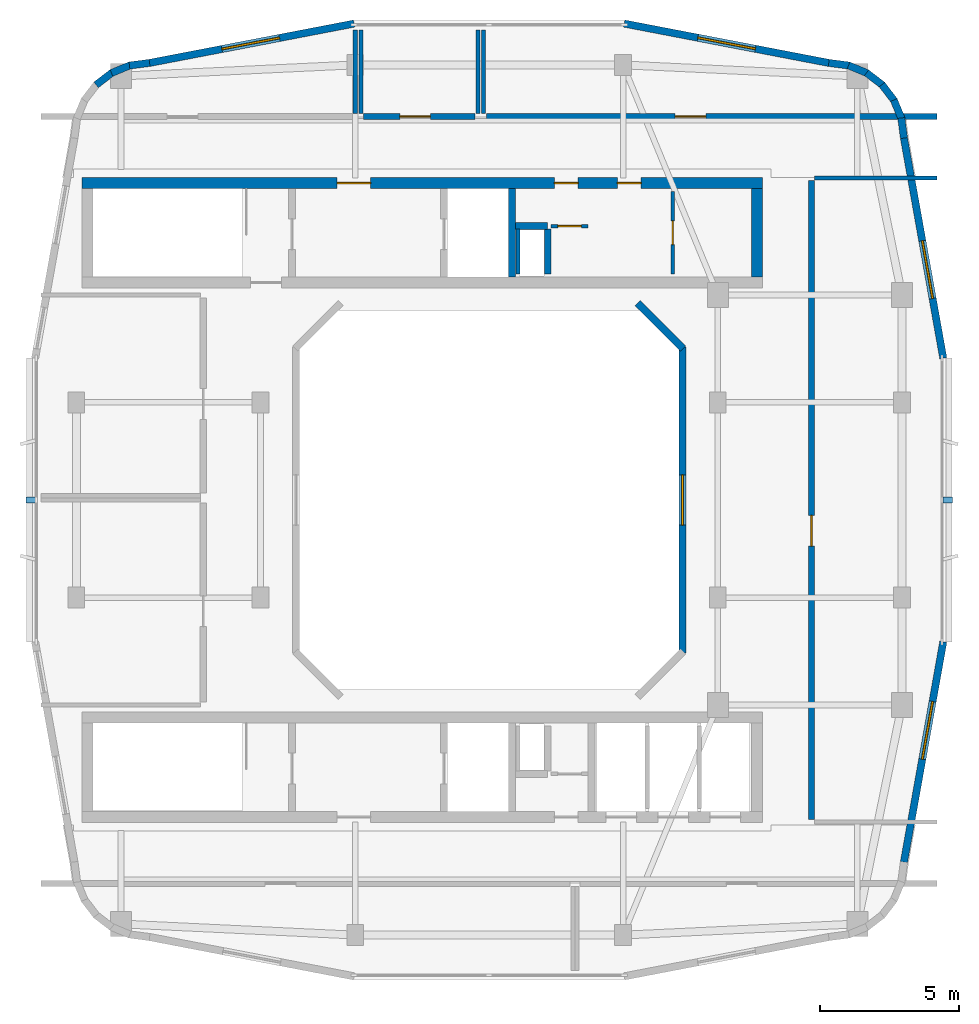
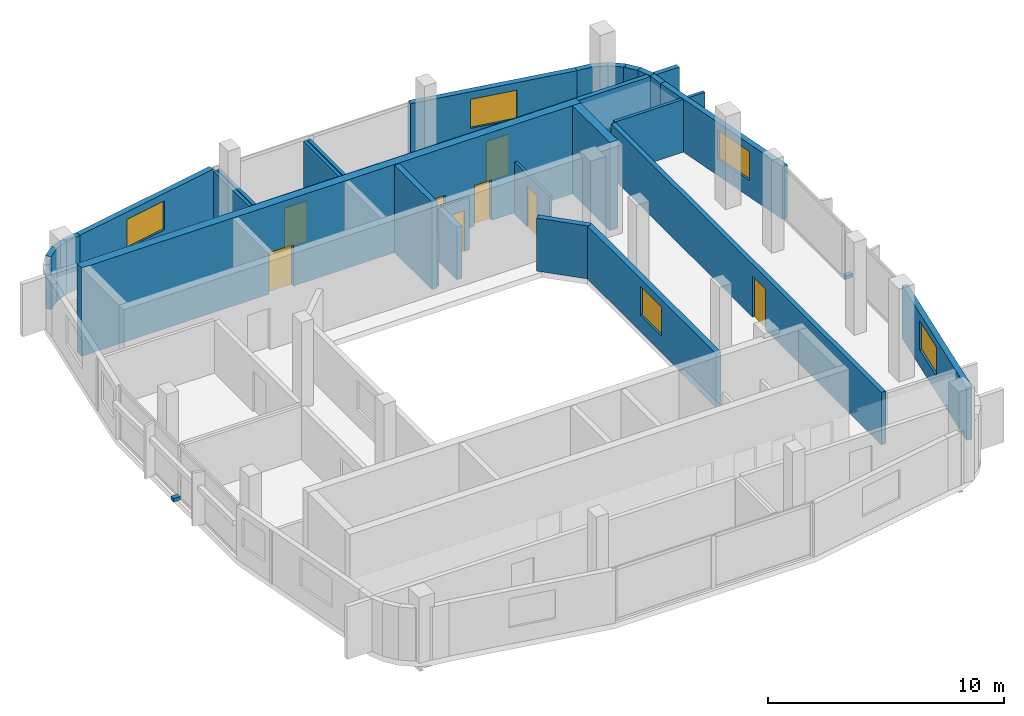
# One storey, part 5 of 6: 31 walls, 8 doors, 5 windows, 2 discrete accessories, 13 openings.
"""IFC4 building model written with IfcOpenShell, lengths in metres."""

from ifc_helpers import new_model, si_unit, derived_unit, direction, frame, frame_2d, origin, origin_2d, place, context, subcontext, project, spatial, rectangle, extrude, material, layer, layer_set, type_object, element, fill, save


model = new_model("IFC4")

# Units and contexts
model_context = context("Model", 3, precision=1e-05, world=origin(), true_north=direction((0.0, 1.0)))
body_context = subcontext(model_context, "Body", "Model", "MODEL_VIEW")
ifc_project = project(units=[si_unit("LENGTHUNIT", "METRE"), si_unit("AREAUNIT", "SQUARE_METRE"), si_unit("VOLUMEUNIT", "CUBIC_METRE"), si_unit("PLANEANGLEUNIT", "RADIAN"), si_unit("MASSUNIT", "GRAM", prefix="KILO"), derived_unit("THERMALTRANSMITTANCEUNIT", [(si_unit("POWERUNIT", "WATT"), 1), (si_unit("LENGTHUNIT", "METRE"), -2), (si_unit("THERMODYNAMICTEMPERATUREUNIT", "KELVIN"), -1)])], contexts=[model_context])

# Site, building, storey
site_placement = place(None, origin())
site = spatial("IfcSite", under=ifc_project, at=site_placement, CompositionType="ELEMENT")
building_placement = place(site_placement, origin())
building = spatial("IfcBuilding", under=site, at=building_placement, Name="Kivonza Crest Hotel", CompositionType="ELEMENT")
storey_placement = place(building_placement, frame((0.0, 0.0, 272.0)))
storey = spatial("IfcBuildingStorey", under=building, at=storey_placement, Name="L74", CompositionType="ELEMENT", Elevation=272.0)

# Wall, opening, door
ifc_material_1 = material(Name="Autoclaved aerated concrete blockwork", Category="masonry")
ifc_layer_1 = layer(ifc_material_1, 0.219970703125)
ifc_layer_set_1 = layer_set([ifc_layer_1], Name="Autoclaved aerated concrete blockwork")
wall_type_1 = type_object("IfcWallType", Name="WL-ACOU-220", PredefinedType="SOLIDWALL", material=ifc_layer_set_1)
wall_1_placement = place(storey_placement, frame((32.56005859375, 13.550048828125, 0.0), z_axis=(0.0, 0.0, 1.0), x_axis=(0.0, 1.0, 0.0)))
wall_1 = element("IfcWall", 1, at=wall_1_placement, inside=storey, type_object=wall_type_1, Name="L74 interior partition WA-L74-CRESTLNG-W", PredefinedType="SOLIDWALL", context=body_context, shape_type="SweptSolid", body=[
    extrude(rectangle(XDim=22.89990234375, YDim=0.219970703125, at=frame_2d((11.449951171875, 0.0))), origin(), (0.0, 0.0, 1.0), 2.719970703125),
])
opening_1_placement = place(wall_1_placement, frame((9.800048828125, 0.0, 0.0)))
opening_1 = element("IfcOpeningElement", 2, at=opening_1_placement, cuts=wall_1, Name="Opening DF-60M", PredefinedType="OPENING", context=body_context, shape_type="SweptSolid", body=[
    extrude(rectangle(XDim=1.10009765625, YDim=2.10009765625, at=frame_2d((0.550048828125, 1.050048828125))), frame((0.0, 0.1201171875, 0.0), z_axis=(0.0, -1.0, 0.0), x_axis=(1.0, 0.0, 0.0)), (0.0, 0.0, 1.0), 0.239990234375),
])
ifc_material_2 = material(Name="Hardwood timber oak", Category="wood")
door_type_1 = type_object("IfcDoorType", Name="DR-FD60-1100", OperationType="NOTDEFINED", PredefinedType="DOOR", material=ifc_material_2)
door_1_placement = place(opening_1_placement, frame((1.10009765625, 0.0, 0.0), z_axis=(0.0, 0.0, 1.0), x_axis=(-1.0, 0.0, 0.0)))
door_1 = element("IfcDoor", 3, at=door_1_placement, inside=storey, type_object=door_type_1, Name="L74 High-Crest Sky Lounge door", OperationType="SINGLE_SWING_LEFT", OverallHeight=2.10009765625, OverallWidth=1.10009765625, PredefinedType="DOOR", context=body_context, shape_type="SweptSolid", body=[
    extrude(rectangle(XDim=1.10009765625, YDim=2.10009765625, at=frame_2d((0.550048828125, 1.050048828125))), frame((0.0, 0.02490234375, 0.0), z_axis=(0.0, -1.0, 0.0), x_axis=(1.0, 0.0, 0.0)), (0.0, 0.0, 1.0), 0.050048828125),
])
fill(opening_1, door_1)

wall_2_placement = place(storey_placement, frame((16.5, 38.75, 0.0), z_axis=(0.0, 0.0, 1.0), x_axis=(1.0, 0.0, 0.0)))
wall_2 = element("IfcWall", 4, at=wall_2_placement, inside=storey, type_object=wall_type_1, Name="L74 interior partition WA-L74-CRAWC4-S", PredefinedType="SOLIDWALL", context=body_context, shape_type="SweptSolid", body=[
    extrude(rectangle(XDim=4.0, YDim=0.219970703125, at=frame_2d((2.0, 0.0))), origin(), (0.0, 0.0, 1.0), 2.719970703125),
])
opening_2_placement = place(wall_2_placement, frame((1.294921875, 0.0, 0.0)))
opening_2 = element("IfcOpeningElement", 5, at=opening_2_placement, cuts=wall_2, Name="Opening DF-60M", PredefinedType="OPENING", context=body_context, shape_type="SweptSolid", body=[
    extrude(rectangle(XDim=1.10009765625, YDim=2.10009765625, at=frame_2d((0.550048828125, 1.050048828125))), frame((0.0, 0.1201171875, 0.0), z_axis=(0.0, -1.0, 0.0), x_axis=(1.0, 0.0, 0.0)), (0.0, 0.0, 1.0), 0.239990234375),
])
door_2_placement = place(opening_2_placement, origin())
door_2 = element("IfcDoor", 6, at=door_2_placement, inside=storey, type_object=door_type_1, Name="L74 L74 Accessible WC door", OperationType="SINGLE_SWING_LEFT", OverallHeight=2.10009765625, OverallWidth=1.10009765625, PredefinedType="DOOR", context=body_context, shape_type="SweptSolid", body=[
    extrude(rectangle(XDim=1.10009765625, YDim=2.10009765625, at=frame_2d((0.550048828125, 1.050048828125))), frame((0.0, 0.02490234375, 0.0), z_axis=(0.0, -1.0, 0.0), x_axis=(1.0, 0.0, 0.0)), (0.0, 0.0, 1.0), 0.050048828125),
])
fill(opening_2, door_2)

wall_3_placement = place(storey_placement, frame((20.89990234375, 38.75, 0.0), z_axis=(0.0, 0.0, 1.0), x_axis=(1.0, 0.0, 0.0)))
wall_3 = element("IfcWall", 7, at=wall_3_placement, inside=storey, type_object=wall_type_1, Name="L74 interior partition WA-L74-CRNSALE-S", PredefinedType="SOLIDWALL", context=body_context, shape_type="SweptSolid", body=[
    extrude(rectangle(XDim=16.16015625, YDim=0.219970703125, at=frame_2d((8.080078125, 0.0))), origin(), (0.0, 0.0, 1.0), 2.719970703125),
])
opening_3_placement = place(wall_3_placement, frame((6.76708984375, 0.0, 0.0)))
opening_3 = element("IfcOpeningElement", 8, at=opening_3_placement, cuts=wall_3, Name="Opening DF-60M", PredefinedType="OPENING", context=body_context, shape_type="SweptSolid", body=[
    extrude(rectangle(XDim=1.10009765625, YDim=2.10009765625, at=frame_2d((0.550048828125, 1.050048828125))), frame((0.0, 0.1201171875, 0.0), z_axis=(0.0, -1.0, 0.0), x_axis=(1.0, 0.0, 0.0)), (0.0, 0.0, 1.0), 0.239990234375),
])
door_3_placement = place(opening_3_placement, origin())
door_3 = element("IfcDoor", 9, at=door_3_placement, inside=storey, type_object=door_type_1, Name="L74 North-East Crest Lounge door", OperationType="SINGLE_SWING_RIGHT", OverallHeight=2.10009765625, OverallWidth=1.10009765625, PredefinedType="DOOR", context=body_context, shape_type="SweptSolid", body=[
    extrude(rectangle(XDim=1.10009765625, YDim=2.10009765625, at=frame_2d((0.550048828125, 1.050048828125))), frame((0.0, 0.02490234375, 0.0), z_axis=(0.0, -1.0, 0.0), x_axis=(1.0, 0.0, 0.0)), (0.0, 0.0, 1.0), 0.050048828125),
])
fill(opening_3, door_3)

# Wall, openings, doors
ifc_material_3 = material(Name="Concrete C50/60", Category="concrete")
ifc_layer_2 = layer(ifc_material_3, 0.39990234375)
ifc_layer_set_2 = layer_set([ifc_layer_2], Name="Concrete C50/60")
wall_type_2 = type_object("IfcWallType", Name="WL-CORE-400", PredefinedType="SHEAR", material=ifc_layer_set_2)
wall_4_placement = place(storey_placement, frame((6.39990234375, 36.360107421875, 0.0), z_axis=(0.0, 0.0, 1.0), x_axis=(1.0, 0.0, 0.0)))
wall_4 = element("IfcWall", 10, at=wall_4_placement, inside=storey, type_object=wall_type_2, Name="Core wall T1-N North L74", PredefinedType="SHEAR", context=body_context, shape_type="SweptSolid", body=[
    extrude(rectangle(XDim=24.400146484375, YDim=0.39990234375, at=frame_2d((12.2001953125, 0.0))), origin(), (0.0, 0.0, 1.0), 4.56005859375),
])
opening_4_placement = place(wall_4_placement, frame((9.14990234375, 0.0, 0.0)))
opening_4 = element("IfcOpeningElement", 11, at=opening_4_placement, cuts=wall_4, Name="Opening DF-60", PredefinedType="OPENING", context=body_context, shape_type="SweptSolid", body=[
    extrude(rectangle(XDim=1.199951171875, YDim=2.14990234375, at=frame_2d((0.60009765625, 1.074951171875))), frame((0.0, 0.2099609375, 0.0), z_axis=(0.0, -1.0, 0.0), x_axis=(1.0, 0.0, 0.0)), (0.0, 0.0, 1.0), 0.419921875),
])
opening_5_placement = place(wall_4_placement, frame((19.199951171875, 0.0, 0.0)))
opening_5 = element("IfcOpeningElement", 12, at=opening_5_placement, cuts=wall_4, Name="Opening DF-60R", PredefinedType="OPENING", context=body_context, shape_type="SweptSolid", body=[
    extrude(rectangle(XDim=0.85009765625, YDim=2.10009765625, at=frame_2d((0.425048828125, 1.050048828125))), frame((0.0, 0.2099609375, 0.0), z_axis=(0.0, -1.0, 0.0), x_axis=(1.0, 0.0, 0.0)), (0.0, 0.0, 1.0), 0.419921875),
])
opening_6_placement = place(wall_4_placement, frame((16.93994140625, 0.0, 0.0)))
opening_6 = element("IfcOpeningElement", 13, at=opening_6_placement, cuts=wall_4, Name="Opening DF-60R", PredefinedType="OPENING", context=body_context, shape_type="SweptSolid", body=[
    extrude(rectangle(XDim=0.85009765625, YDim=2.10009765625, at=frame_2d((0.425048828125, 1.050048828125))), frame((0.0, 0.2099609375, 0.0), z_axis=(0.0, -1.0, 0.0), x_axis=(1.0, 0.0, 0.0)), (0.0, 0.0, 1.0), 0.419921875),
])
door_type_2 = type_object("IfcDoorType", Name="DR-FD60-1200", OperationType="NOTDEFINED", PredefinedType="DOOR", material=ifc_material_2)
door_4_placement = place(opening_4_placement, origin())
door_4 = element("IfcDoor", 14, at=door_4_placement, inside=storey, type_object=door_type_2, Name="L74 T1-N firefighting lobby fire door", OperationType="SINGLE_SWING_RIGHT", OverallHeight=2.14990234375, OverallWidth=1.199951171875, PredefinedType="DOOR", context=body_context, shape_type="SweptSolid", body=[
    extrude(rectangle(XDim=1.199951171875, YDim=2.14990234375, at=frame_2d((0.60009765625, 1.074951171875))), frame((0.0, 0.02490234375, 0.0), z_axis=(0.0, -1.0, 0.0), x_axis=(1.0, 0.0, 0.0)), (0.0, 0.0, 1.0), 0.050048828125),
])
fill(opening_4, door_4)
door_type_3 = type_object("IfcDoorType", Name="DR-FD60-850", OperationType="NOTDEFINED", PredefinedType="DOOR", material=ifc_material_2)
door_5_placement = place(opening_5_placement, origin())
door_5 = element("IfcDoor", 15, at=door_5_placement, inside=storey, type_object=door_type_3, Name="L74 T1-N reclaimed core service door", OperationType="SINGLE_SWING_LEFT", OverallHeight=2.10009765625, OverallWidth=0.85009765625, PredefinedType="DOOR", context=body_context, shape_type="SweptSolid", body=[
    extrude(rectangle(XDim=0.85009765625, YDim=2.10009765625, at=frame_2d((0.425048828125, 1.050048828125))), frame((0.0, 0.02490234375, 0.0), z_axis=(0.0, -1.0, 0.0), x_axis=(1.0, 0.0, 0.0)), (0.0, 0.0, 1.0), 0.050048828125),
])
fill(opening_5, door_5)
door_6_placement = place(opening_6_placement, origin())
door_6 = element("IfcDoor", 16, at=door_6_placement, inside=storey, type_object=door_type_3, Name="L74 T1-N core room door", OperationType="SINGLE_SWING_RIGHT", OverallHeight=2.10009765625, OverallWidth=0.85009765625, PredefinedType="DOOR", context=body_context, shape_type="SweptSolid", body=[
    extrude(rectangle(XDim=0.85009765625, YDim=2.10009765625, at=frame_2d((0.425048828125, 1.050048828125))), frame((0.0, 0.02490234375, 0.0), z_axis=(0.0, -1.0, 0.0), x_axis=(1.0, 0.0, 0.0)), (0.0, 0.0, 1.0), 0.050048828125),
])
fill(opening_6, door_6)

# Wall
wall_5_placement = place(storey_placement, frame((30.60009765625, 33.0, 0.0), z_axis=(0.0, 0.0, 1.0), x_axis=(0.0, 1.0, 0.0)))
element("IfcWall", 17, at=wall_5_placement, inside=storey, type_object=wall_type_2, Name="Core wall T1-N East L74", PredefinedType="SHEAR", context=body_context, shape_type="SweptSolid", body=[
    extrude(rectangle(XDim=3.159912109375, YDim=0.39990234375, at=frame_2d((1.580078125, 0.0))), origin(), (0.0, 0.0, 1.0), 4.56005859375),
])

# Wall, opening, window
ifc_material_4 = material(Name="Precast concrete C40/50", Category="concrete")
ifc_layer_3 = layer(ifc_material_4, 0.260009765625)
ifc_layer_set_3 = layer_set([ifc_layer_3], Name="Precast concrete C40/50")
wall_type_3 = type_object("IfcWallType", Name="WL-EXT-260", PredefinedType="STANDARD", material=ifc_layer_set_3)
wall_6_placement = place(storey_placement, frame((35.87109375, 12.014892578125, 0.0), z_axis=(0.0, 0.0, 1.0), x_axis=(0.175766426993, 0.984431898682, 0.0)))
wall_6 = element("IfcWall", 18, at=wall_6_placement, inside=storey, type_object=wall_type_3, Name="L74 T1 exterior insulated wall 16", PredefinedType="STANDARD", context=body_context, shape_type="SweptSolid", body=[
    extrude(rectangle(XDim=8.027099609375, YDim=0.260009765625, at=frame_2d((4.013671875, 0.0))), origin(), (0.0, 0.0, 1.0), 2.739990234375),
])
opening_7_placement = place(wall_6_placement, frame((3.7509765625, 0.0, 0.85009765625)))
opening_7 = element("IfcOpeningElement", 19, at=opening_7_placement, cuts=wall_6, Name="Opening WN-04", PredefinedType="OPENING", context=body_context, shape_type="SweptSolid", body=[
    extrude(rectangle(XDim=2.10009765625, YDim=1.5, at=frame_2d((1.050048828125, 0.75))), frame((0.0, 0.14013671875, 0.0), z_axis=(0.0, -1.0, 0.0), x_axis=(1.0, 0.0, 0.0)), (0.0, 0.0, 1.0), 0.280029296875),
])
ifc_material_5 = material(Name="Thermally broken bronze aluminium and low-E double glazing", Category="aluminium")
window_type_1 = type_object("IfcWindowType", Name="WN-210x150", PartitioningType="DOUBLE_PANEL_VERTICAL", PredefinedType="WINDOW", material=ifc_material_5)
window_1_placement = place(opening_7_placement, origin())
window_1 = element("IfcWindow", 20, at=window_1_placement, inside=storey, type_object=window_type_1, Name="L74 T1 facade window 16", OverallHeight=1.5, OverallWidth=2.10009765625, PartitioningType="SINGLE_PANEL", PredefinedType="WINDOW", context=body_context, shape_type="SweptSolid", body=[
    extrude(rectangle(XDim=2.10009765625, YDim=1.5, at=frame_2d((1.050048828125, 0.75))), frame((0.0, 0.030029296875, 0.0), z_axis=(0.0, -1.0, 0.0), x_axis=(1.0, 0.0, 0.0)), (0.0, 0.0, 1.0), 0.06005859375),
])
fill(opening_7, window_1)

wall_7_placement = place(storey_placement, frame((37.281982421875, 30.0830078125, 0.0), z_axis=(0.0, 0.0, 1.0), x_axis=(-0.175766426993, 0.984431898682, 0.0)))
wall_7 = element("IfcWall", 21, at=wall_7_placement, inside=storey, type_object=wall_type_3, Name="L74 T1 exterior insulated wall 18", PredefinedType="STANDARD", context=body_context, shape_type="SweptSolid", body=[
    extrude(rectangle(XDim=8.027099609375, YDim=0.260009765625, at=frame_2d((4.013671875, 0.0))), origin(), (0.0, 0.0, 1.0), 2.739990234375),
])
opening_8_placement = place(wall_7_placement, frame((2.176025390625, 0.0, 0.85009765625)))
opening_8 = element("IfcOpeningElement", 22, at=opening_8_placement, cuts=wall_7, Name="Opening WN-04", PredefinedType="OPENING", context=body_context, shape_type="SweptSolid", body=[
    extrude(rectangle(XDim=2.10009765625, YDim=1.5, at=frame_2d((1.050048828125, 0.75))), frame((0.0, 0.14013671875, 0.0), z_axis=(0.0, -1.0, 0.0), x_axis=(1.0, 0.0, 0.0)), (0.0, 0.0, 1.0), 0.280029296875),
])
window_2_placement = place(opening_8_placement, origin())
window_2 = element("IfcWindow", 23, at=window_2_placement, inside=storey, type_object=window_type_1, Name="L74 T1 facade window 18", OverallHeight=1.5, OverallWidth=2.10009765625, PartitioningType="SINGLE_PANEL", PredefinedType="WINDOW", context=body_context, shape_type="SweptSolid", body=[
    extrude(rectangle(XDim=2.10009765625, YDim=1.5, at=frame_2d((1.050048828125, 0.75))), frame((0.0, 0.030029296875, 0.0), z_axis=(0.0, -1.0, 0.0), x_axis=(1.0, 0.0, 0.0)), (0.0, 0.0, 1.0), 0.06005859375),
])
fill(opening_8, window_2)

# Walls
wall_8_placement = place(storey_placement, frame((35.8720703125, 37.97509765625, 0.0), z_axis=(0.0, 0.0, 1.0), x_axis=(-0.130255288807, 0.991480488834, 0.0)))
element("IfcWall", 24, at=wall_8_placement, inside=storey, type_object=wall_type_3, Name="L74 T1 exterior insulated wall 19", PredefinedType="STANDARD", context=body_context, shape_type="SweptSolid", body=[
    extrude(rectangle(XDim=0.72900390625, YDim=0.260009765625, at=frame_2d((0.364501953125, 0.0))), origin(), (0.0, 0.0, 1.0), 2.739990234375),
])
wall_9_placement = place(storey_placement, frame((35.794921875, 38.652099609375, 0.0), z_axis=(0.0, 0.0, 1.0), x_axis=(-0.383267045233, 0.923637576129, 0.0)))
element("IfcWall", 25, at=wall_9_placement, inside=storey, type_object=wall_type_3, Name="L74 T1 exterior insulated wall 20", PredefinedType="STANDARD", context=body_context, shape_type="SweptSolid", body=[
    extrude(rectangle(XDim=0.745849609375, YDim=0.260009765625, at=frame_2d((0.373046875, 0.0))), origin(), (0.0, 0.0, 1.0), 2.739990234375),
])
for number, where, z_axis, x_axis, name in (
    (26, (35.537109375, 39.301025390625, 0.0), (0.0, 0.0, 1.0), (-0.608603261071, 0.793474681772, 0.0), "L74 T1 exterior insulated wall 21"),
    (27, (35.12109375, 39.862060546875, 0.0), (0.0, 0.0, 1.0), (-0.79363269798, 0.608397189915, 0.0), "L74 T1 exterior insulated wall 22"),
    (28, (34.572998046875, 40.294921875, 0.0), (0.0, 0.0, 1.0), (-0.923521684703, 0.383546213491, 0.0), "L74 T1 exterior insulated wall 23"),
):
    element("IfcWall", number, at=place(storey_placement, frame(where, z_axis=z_axis, x_axis=x_axis)), inside=storey, type_object=wall_type_3, Name=name, PredefinedType="STANDARD", context=body_context, shape_type="SweptSolid", body=[
        extrude(rectangle(XDim=0.74609375, YDim=0.260009765625, at=frame_2d((0.373046875, 0.0))), origin(), (0.0, 0.0, 1.0), 2.739990234375),
    ])
wall_10_placement = place(storey_placement, frame((33.93310546875, 40.572998046875, 0.0), z_axis=(0.0, 0.0, 1.0), x_axis=(-0.991559404866, 0.129653178221, 0.0)))
element("IfcWall", 29, at=wall_10_placement, inside=storey, type_object=wall_type_3, Name="L74 T1 exterior insulated wall 24", PredefinedType="STANDARD", context=body_context, shape_type="SweptSolid", body=[
    extrude(rectangle(XDim=0.764404296875, YDim=0.260009765625, at=frame_2d((0.38232421875, 0.0))), origin(), (0.0, 0.0, 1.0), 2.739990234375),
])

# Wall, opening, window
wall_11_placement = place(storey_placement, frame((33.18310546875, 40.669921875, 0.0), z_axis=(0.0, 0.0, 1.0), x_axis=(-0.982002021426, 0.188870405079, 0.0)))
wall_11 = element("IfcWall", 30, at=wall_11_placement, inside=storey, type_object=wall_type_3, Name="L74 T1 exterior insulated wall 25", PredefinedType="STANDARD", context=body_context, shape_type="SweptSolid", body=[
    extrude(rectangle(XDim=7.4765625, YDim=0.260009765625, at=frame_2d((3.73828125, 0.0))), origin(), (0.0, 0.0, 1.0), 2.739990234375),
])
opening_9_placement = place(wall_11_placement, frame((2.68798828125, 0.0, 0.85009765625)))
opening_9 = element("IfcOpeningElement", 31, at=opening_9_placement, cuts=wall_11, Name="Opening WN-04", PredefinedType="OPENING", context=body_context, shape_type="SweptSolid", body=[
    extrude(rectangle(XDim=2.10009765625, YDim=1.5, at=frame_2d((1.050048828125, 0.75))), frame((0.0, 0.14013671875, 0.0), z_axis=(0.0, -1.0, 0.0), x_axis=(1.0, 0.0, 0.0)), (0.0, 0.0, 1.0), 0.280029296875),
])
window_3_placement = place(opening_9_placement, origin())
window_3 = element("IfcWindow", 32, at=window_3_placement, inside=storey, type_object=window_type_1, Name="L74 T1 facade window 25", OverallHeight=1.5, OverallWidth=2.10009765625, PartitioningType="SINGLE_PANEL", PredefinedType="WINDOW", context=body_context, shape_type="SweptSolid", body=[
    extrude(rectangle(XDim=2.10009765625, YDim=1.5, at=frame_2d((1.050048828125, 0.75))), frame((0.0, 0.030029296875, 0.0), z_axis=(0.0, -1.0, 0.0), x_axis=(1.0, 0.0, 0.0)), (0.0, 0.0, 1.0), 0.06005859375),
])
fill(opening_9, window_3)

wall_12_placement = place(storey_placement, frame((16.158935546875, 42.08203125, 0.0), z_axis=(0.0, 0.0, 1.0), x_axis=(-0.982002021426, -0.188870405079, 0.0)))
wall_12 = element("IfcWall", 33, at=wall_12_placement, inside=storey, type_object=wall_type_3, Name="L74 T1 exterior insulated wall 27", PredefinedType="STANDARD", context=body_context, shape_type="SweptSolid", body=[
    extrude(rectangle(XDim=7.4765625, YDim=0.260009765625, at=frame_2d((3.73828125, 0.0))), origin(), (0.0, 0.0, 1.0), 2.739990234375),
])
opening_10_placement = place(wall_12_placement, frame((2.72802734375, 0.0, 0.85009765625)))
opening_10 = element("IfcOpeningElement", 34, at=opening_10_placement, cuts=wall_12, Name="Opening WN-04", PredefinedType="OPENING", context=body_context, shape_type="SweptSolid", body=[
    extrude(rectangle(XDim=2.10009765625, YDim=1.5, at=frame_2d((1.050048828125, 0.75))), frame((0.0, 0.14013671875, 0.0), z_axis=(0.0, -1.0, 0.0), x_axis=(1.0, 0.0, 0.0)), (0.0, 0.0, 1.0), 0.280029296875),
])
window_4_placement = place(opening_10_placement, origin())
window_4 = element("IfcWindow", 35, at=window_4_placement, inside=storey, type_object=window_type_1, Name="L74 T1 facade window 27", OverallHeight=1.5, OverallWidth=2.10009765625, PartitioningType="SINGLE_PANEL", PredefinedType="WINDOW", context=body_context, shape_type="SweptSolid", body=[
    extrude(rectangle(XDim=2.10009765625, YDim=1.5, at=frame_2d((1.050048828125, 0.75))), frame((0.0, 0.030029296875, 0.0), z_axis=(0.0, -1.0, 0.0), x_axis=(1.0, 0.0, 0.0)), (0.0, 0.0, 1.0), 0.06005859375),
])
fill(opening_10, window_4)

# Walls
wall_13_placement = place(storey_placement, frame((8.824951171875, 40.672119140625, 0.0), z_axis=(0.0, 0.0, 1.0), x_axis=(-0.991437192142, -0.130584432602, 0.0)))
element("IfcWall", 36, at=wall_13_placement, inside=storey, type_object=wall_type_3, Name="L74 T1 exterior insulated wall 28", PredefinedType="STANDARD", context=body_context, shape_type="SweptSolid", body=[
    extrude(rectangle(XDim=0.729248046875, YDim=0.260009765625, at=frame_2d((0.36474609375, 0.0))), origin(), (0.0, 0.0, 1.0), 2.739990234375),
])
wall_14_placement = place(storey_placement, frame((8.14794921875, 40.594970703125, 0.0), z_axis=(0.0, 0.0, 1.0), x_axis=(-0.923637576129, -0.383267045233, 0.0)))
element("IfcWall", 37, at=wall_14_placement, inside=storey, type_object=wall_type_3, Name="L74 T1 exterior insulated wall 29", PredefinedType="STANDARD", context=body_context, shape_type="SweptSolid", body=[
    extrude(rectangle(XDim=0.745849609375, YDim=0.260009765625, at=frame_2d((0.373046875, 0.0))), origin(), (0.0, 0.0, 1.0), 2.739990234375),
])
wall_15_placement = place(storey_placement, frame((7.4990234375, 40.3369140625, 0.0), z_axis=(0.0, 0.0, 1.0), x_axis=(-0.79363269798, -0.608397189915, 0.0)))
element("IfcWall", 38, at=wall_15_placement, inside=storey, type_object=wall_type_3, Name="L74 T1 exterior insulated wall 30", PredefinedType="STANDARD", context=body_context, shape_type="SweptSolid", body=[
    extrude(rectangle(XDim=0.74609375, YDim=0.260009765625, at=frame_2d((0.373046875, 0.0))), origin(), (0.0, 0.0, 1.0), 2.739990234375),
])

# Wall, opening, window
wall_16_placement = place(storey_placement, frame((27.929931640625, 19.510009765625, 0.0), z_axis=(0.0, 0.0, 1.0), x_axis=(0.0, 1.0, 0.0)))
wall_16 = element("IfcWall", 39, at=wall_16_placement, inside=storey, type_object=wall_type_3, Name="L74 T1 light-well exterior wall 3", PredefinedType="STANDARD", context=body_context, shape_type="SweptSolid", body=[
    extrude(rectangle(XDim=10.97998046875, YDim=0.260009765625, at=frame_2d((5.489990234375, 0.0))), origin(), (0.0, 0.0, 1.0), 2.739990234375),
])
opening_11_placement = place(wall_16_placement, frame((4.590087890625, 0.0, 0.85009765625)))
opening_11 = element("IfcOpeningElement", 40, at=opening_11_placement, cuts=wall_16, Name="Opening WN-03", PredefinedType="OPENING", context=body_context, shape_type="SweptSolid", body=[
    extrude(rectangle(XDim=1.800048828125, YDim=1.5, at=frame_2d((0.89990234375, 0.75))), frame((0.0, 0.14013671875, 0.0), z_axis=(0.0, -1.0, 0.0), x_axis=(1.0, 0.0, 0.0)), (0.0, 0.0, 1.0), 0.280029296875),
])
window_type_2 = type_object("IfcWindowType", Name="WN-180x150", PartitioningType="DOUBLE_PANEL_VERTICAL", PredefinedType="WINDOW", material=ifc_material_5)
window_5_placement = place(opening_11_placement, origin())
window_5 = element("IfcWindow", 41, at=window_5_placement, inside=storey, type_object=window_type_2, Name="L74 T1 light-well window 3", OverallHeight=1.5, OverallWidth=1.800048828125, PartitioningType="SINGLE_PANEL", PredefinedType="WINDOW", context=body_context, shape_type="SweptSolid", body=[
    extrude(rectangle(XDim=1.800048828125, YDim=1.5, at=frame_2d((0.89990234375, 0.75))), frame((0.0, 0.030029296875, 0.0), z_axis=(0.0, -1.0, 0.0), x_axis=(1.0, 0.0, 0.0)), (0.0, 0.0, 1.0), 0.06005859375),
])
fill(opening_11, window_5)

# Walls
wall_17_placement = place(storey_placement, frame((27.9560546875, 30.427978515625, 0.0), z_axis=(0.0, 0.0, 1.0), x_axis=(-0.707106781187, 0.707106781187, 0.0)))
element("IfcWall", 42, at=wall_17_placement, inside=storey, type_object=wall_type_3, Name="L74 T1 light-well exterior wall 4", PredefinedType="STANDARD", context=body_context, shape_type="SweptSolid", body=[
    extrude(rectangle(XDim=2.310791015625, YDim=0.260009765625, at=frame_2d((1.1552734375, 0.0))), origin(), (0.0, 0.0, 1.0), 2.739990234375),
])
ifc_material_6 = material(Name="Concrete blockwork fire-compartment wall", Category="masonry")
ifc_layer_4 = layer(ifc_material_6, 0.25)
ifc_layer_set_4 = layer_set([ifc_layer_4], Name="Concrete blockwork fire-compartment wall")
wall_type_4 = type_object("IfcWallType", Name="WL-FIRE-250", PredefinedType="SOLIDWALL", material=ifc_layer_set_4)
wall_18_placement = place(storey_placement, frame((23.10009765625, 33.10009765625, 0.0), z_axis=(0.0, 0.0, 1.0), x_axis=(0.0, 1.0, 0.0)))
element("IfcWall", 43, at=wall_18_placement, inside=storey, type_object=wall_type_4, Name="L74 interior partition WA-L74-T1-N-MEPR-E", PredefinedType="SOLIDWALL", context=body_context, shape_type="SweptSolid", body=[
    extrude(rectangle(XDim=1.619873046875, YDim=0.25, at=frame_2d((0.81005859375, 0.0))), origin(), (0.0, 0.0, 1.0), 2.719970703125),
])
wall_19_placement = place(storey_placement, frame((21.949951171875, 34.820068359375, 0.0), z_axis=(0.0, 0.0, 1.0), x_axis=(1.0, 0.0, 0.0)))
element("IfcWall", 44, at=wall_19_placement, inside=storey, type_object=wall_type_4, Name="L74 interior partition WA-L74-T1-N-MEPR-H", PredefinedType="SOLIDWALL", context=body_context, shape_type="SweptSolid", body=[
    extrude(rectangle(XDim=1.150146484375, YDim=0.25, at=frame_2d((0.5751953125, 0.0))), origin(), (0.0, 0.0, 1.0), 2.719970703125),
])

# Wall, opening, door
ifc_material_7 = material(Name="Metal-stud gypsum board partition", Category="gypsum")
ifc_layer_5 = layer(ifc_material_7, 0.125)
ifc_layer_set_5 = layer_set([ifc_layer_5], Name="Metal-stud gypsum board partition")
wall_type_5 = type_object("IfcWallType", Name="WL-PART-125", PredefinedType="PARTITIONING", material=ifc_layer_set_5)
wall_20_placement = place(storey_placement, frame((27.580078125, 33.10009765625, 0.0), z_axis=(0.0, 0.0, 1.0), x_axis=(0.0, 1.0, 0.0)))
wall_20 = element("IfcWall", 45, at=wall_20_placement, inside=storey, type_object=wall_type_5, Name="L74 interior partition WP-L74-T1-N-RECL", PredefinedType="PARTITIONING", context=body_context, shape_type="SweptSolid", body=[
    extrude(rectangle(XDim=2.9599609375, YDim=0.125, at=frame_2d((1.47998046875, 0.0))), origin(), (0.0, 0.0, 1.0), 2.719970703125),
])
opening_12_placement = place(wall_20_placement, frame((1.054931640625, 0.0, 0.0)))
opening_12 = element("IfcOpeningElement", 46, at=opening_12_placement, cuts=wall_20, Name="Opening DI-85", PredefinedType="OPENING", context=body_context, shape_type="SweptSolid", body=[
    extrude(rectangle(XDim=0.85009765625, YDim=2.10009765625, at=frame_2d((0.425048828125, 1.050048828125))), frame((0.0, 0.072509765625, 0.0), z_axis=(0.0, -1.0, 0.0), x_axis=(1.0, 0.0, 0.0)), (0.0, 0.0, 1.0), 0.14501953125),
])
door_type_4 = type_object("IfcDoorType", Name="DR-INT-850", OperationType="NOTDEFINED", PredefinedType="DOOR", material=ifc_material_2)
door_7_placement = place(opening_12_placement, origin())
door_7 = element("IfcDoor", 47, at=door_7_placement, inside=storey, type_object=door_type_4, Name="L74 T1-N reclaimed inner pantry door", OperationType="SINGLE_SWING_LEFT", OverallHeight=2.10009765625, OverallWidth=0.85009765625, PredefinedType="DOOR", context=body_context, shape_type="SweptSolid", body=[
    extrude(rectangle(XDim=0.85009765625, YDim=2.10009765625, at=frame_2d((0.425048828125, 1.050048828125))), frame((0.0, 0.02490234375, 0.0), z_axis=(0.0, -1.0, 0.0), x_axis=(1.0, 0.0, 0.0)), (0.0, 0.0, 1.0), 0.050048828125),
])
fill(opening_12, door_7)

wall_21_placement = place(storey_placement, frame((23.219970703125, 34.820068359375, 0.0), z_axis=(0.0, 0.0, 1.0), x_axis=(1.0, 0.0, 0.0)))
wall_21 = element("IfcWall", 48, at=wall_21_placement, inside=storey, type_object=wall_type_5, Name="L74 interior partition WP-L74-T1-N-SV3H", PredefinedType="PARTITIONING", context=body_context, shape_type="SweptSolid", body=[
    extrude(rectangle(XDim=1.330078125, YDim=0.125, at=frame_2d((0.6650390625, 0.0))), origin(), (0.0, 0.0, 1.0), 2.719970703125),
])
opening_13_placement = place(wall_21_placement, frame((0.239990234375, 0.0, 0.0)))
opening_13 = element("IfcOpeningElement", 49, at=opening_13_placement, cuts=wall_21, Name="Opening DI-85", PredefinedType="OPENING", context=body_context, shape_type="SweptSolid", body=[
    extrude(rectangle(XDim=0.85009765625, YDim=2.10009765625, at=frame_2d((0.425048828125, 1.050048828125))), frame((0.0, 0.072509765625, 0.0), z_axis=(0.0, -1.0, 0.0), x_axis=(1.0, 0.0, 0.0)), (0.0, 0.0, 1.0), 0.14501953125),
])
door_8_placement = place(opening_13_placement, origin())
door_8 = element("IfcDoor", 50, at=door_8_placement, inside=storey, type_object=door_type_4, Name="L74 T1-N inner manifold door", OperationType="SINGLE_SWING_LEFT", OverallHeight=2.10009765625, OverallWidth=0.85009765625, PredefinedType="DOOR", context=body_context, shape_type="SweptSolid", body=[
    extrude(rectangle(XDim=0.85009765625, YDim=2.10009765625, at=frame_2d((0.425048828125, 1.050048828125))), frame((0.0, 0.02490234375, 0.0), z_axis=(0.0, -1.0, 0.0), x_axis=(1.0, 0.0, 0.0)), (0.0, 0.0, 1.0), 0.050048828125),
])
fill(opening_13, door_8)

# Walls
ifc_material_8 = material(Name="Twin-stud acoustic gypsum board partition", Category="gypsum")
ifc_layer_6 = layer(ifc_material_8, 0.14990234375)
ifc_layer_set_6 = layer_set([ifc_layer_6], Name="Twin-stud acoustic gypsum board partition")
wall_type_6 = type_object("IfcWallType", Name="WL-PART-150", PredefinedType="PARTITIONING", material=ifc_layer_set_6)
wall_22_placement = place(storey_placement, frame((22.030029296875, 33.10009765625, 0.0), z_axis=(0.0, 0.0, 1.0), x_axis=(0.0, 1.0, 0.0)))
element("IfcWall", 51, at=wall_22_placement, inside=storey, type_object=wall_type_6, Name="L74 interior partition WA-L74-T1-N-MEPR-W", PredefinedType="PARTITIONING", context=body_context, shape_type="SweptSolid", body=[
    extrude(rectangle(XDim=1.619873046875, YDim=0.14990234375, at=frame_2d((0.81005859375, 0.0))), origin(), (0.0, 0.0, 1.0), 2.719970703125),
])
wall_23_placement = place(storey_placement, frame((32.659912109375, 36.550048828125, 0.0), z_axis=(0.0, 0.0, 1.0), x_axis=(1.0, 0.0, 0.0)))
element("IfcWall", 52, at=wall_23_placement, inside=storey, type_object=wall_type_6, Name="L74 interior partition WP-L74-CRESTLNG-BN", PredefinedType="PARTITIONING", context=body_context, shape_type="SweptSolid", body=[
    extrude(rectangle(XDim=4.400146484375, YDim=0.14990234375, at=frame_2d((2.2001953125, 0.0))), origin(), (0.0, 0.0, 1.0), 2.719970703125),
])
for number, where, z_axis, x_axis, name in (
    (53, (16.199951171875, 38.85009765625, 0.0), (0.0, 0.0, 1.0), (0.0, 1.0, 0.0), "L74 interior partition WP-L74-CRNSAL-BE"),
    (54, (16.39990234375, 38.85009765625, 0.0), (0.0, 0.0, 1.0), (0.0, 1.0, 0.0), "L74 interior partition WP-L74-CRAWC4-BW"),
    (55, (20.60009765625, 38.85009765625, 0.0), (0.0, 0.0, 1.0), (0.0, 1.0, 0.0), "L74 interior partition WP-L74-CRAWC4-BE"),
    (56, (20.800048828125, 38.85009765625, 0.0), (0.0, 0.0, 1.0), (0.0, 1.0, 0.0), "L74 interior partition WP-L74-CRNSALE-BW"),
):
    element("IfcWall", number, at=place(storey_placement, frame(where, z_axis=z_axis, x_axis=x_axis)), inside=storey, type_object=wall_type_6, Name=name, PredefinedType="PARTITIONING", context=body_context, shape_type="SweptSolid", body=[
        extrude(rectangle(XDim=3.010009765625, YDim=0.14990234375, at=frame_2d((1.5048828125, 0.0))), origin(), (0.0, 0.0, 1.0), 2.719970703125),
    ])
ifc_layer_7 = layer(ifc_material_3, 0.25)
ifc_layer_set_7 = layer_set([ifc_layer_7], Name="Concrete C50/60")
wall_type_7 = type_object("IfcWallType", Name="WL-SHAFT-250", PredefinedType="STANDARD", material=ifc_layer_set_7)
wall_24_placement = place(storey_placement, frame((21.824951171875, 33.0, 0.0), z_axis=(0.0, 0.0, 1.0), x_axis=(0.0, 1.0, 0.0)))
element("IfcWall", 57, at=wall_24_placement, inside=storey, type_object=wall_type_7, Name="Core shaft wall T1-N FFL-E L74", PredefinedType="STANDARD", context=body_context, shape_type="SweptSolid", body=[
    extrude(rectangle(XDim=3.159912109375, YDim=0.25, at=frame_2d((1.580078125, 0.0))), origin(), (0.0, 0.0, 1.0), 4.52001953125),
])

# Discrete accessories
ifc_material_9 = material(Name="Stainless steel 316", Category="steel")
discrete_accessory_type = type_object("IfcDiscreteAccessoryType", Name="AC-BRACKET-240", PredefinedType="BRACKET", material=ifc_material_9)
for number, where, z_axis, x_axis, name in (
    (58, (37.43994140625, 25.0, -0.009765625), (0.0, 0.0, 1.0), (0.0, 1.0, 0.0), "L74 terracotta baguette support bracket CW-T1-L74-17"),
    (59, (4.56005859375, 25.0, -0.009765625), (0.0, 0.0, 1.0), (0.0, -1.0, 0.0), "L74 terracotta baguette support bracket CW-T1-L74-35"),
):
    element("IfcDiscreteAccessory", number, at=place(storey_placement, frame(where, z_axis=z_axis, x_axis=x_axis)), inside=storey, type_object=discrete_accessory_type, Name=name, PredefinedType="BRACKET", context=body_context, shape_type="SweptSolid", body=[
        extrude(rectangle(XDim=0.219970703125, YDim=0.340087890625, at=origin_2d()), origin(), (0.0, 0.0, 1.0), 0.179931640625),
    ])

save(model, "model.ifc")
